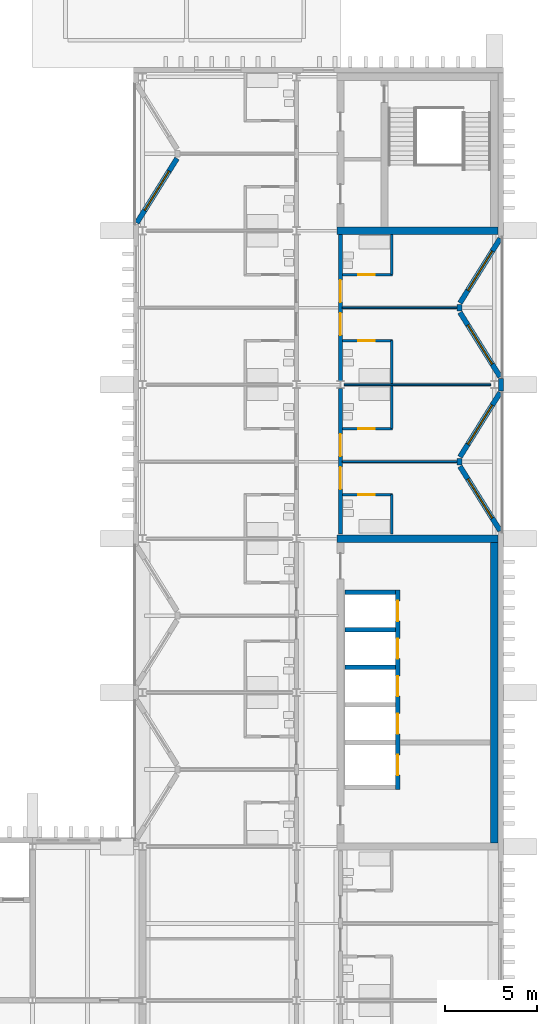
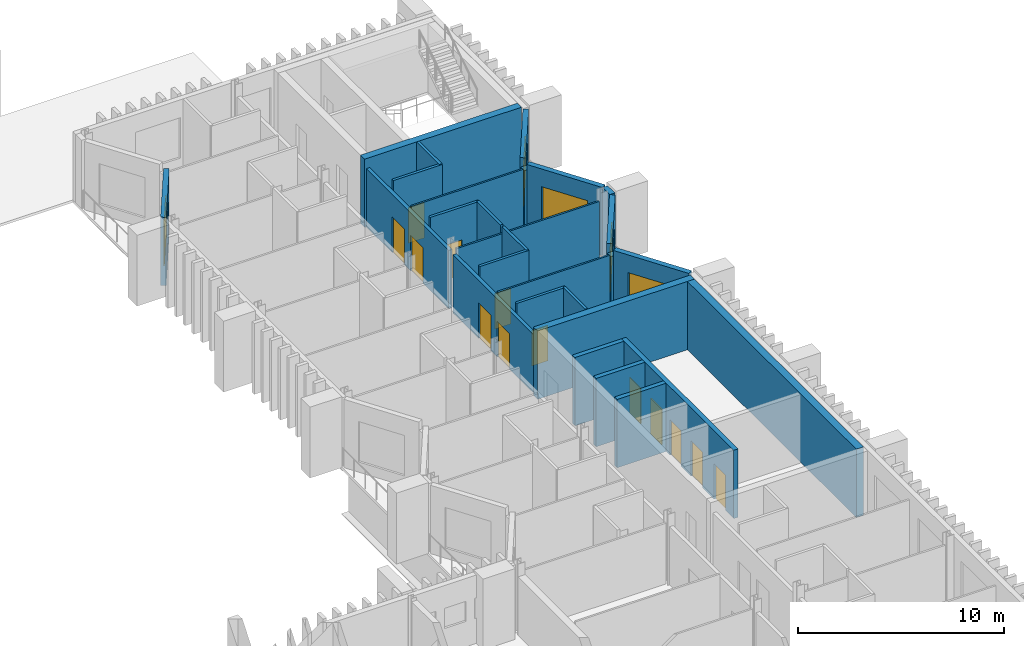
# One storey, part 77 of 100: 28 walls, 13 doors, 5 windows, 18 openings.
"""IFC4 building model written with IfcOpenShell, lengths in metres."""

from ifc_helpers import new_model, si_unit, direction, frame, frame_2d, origin, place, context, subcontext, project, spatial, rectangle, extrude, material, layer, layer_set, type_object, element, fill, save


model = new_model("IFC4")

# Units and contexts
model_context = context("Model", 3, precision=1e-05, world=origin(), true_north=direction((0.0, 1.0)))
body_context = subcontext(model_context, "Body", "Model", "MODEL_VIEW")
ifc_project = project(units=[si_unit("LENGTHUNIT", "METRE"), si_unit("AREAUNIT", "SQUARE_METRE"), si_unit("VOLUMEUNIT", "CUBIC_METRE"), si_unit("PLANEANGLEUNIT", "RADIAN"), si_unit("MASSUNIT", "GRAM", prefix="KILO")], contexts=[model_context])

# Site, building, storey
site_placement = place(None, origin())
site = spatial("IfcSite", under=ifc_project, at=site_placement, CompositionType="ELEMENT")
building_placement = place(site_placement, origin())
building = spatial("IfcBuilding", under=site, at=building_placement, Name="Cresset Court Congress Hotel", CompositionType="ELEMENT")
storey_placement = place(building_placement, frame((0.0, 0.0, 10.199951171875)))
storey = spatial("IfcBuildingStorey", under=building, at=storey_placement, Name="L02", CompositionType="ELEMENT", Elevation=10.199951171875)

# Wall, openings, doors
ifc_material_1 = material(Name="Gypsum board partition")
ifc_layer_1 = layer(ifc_material_1, 0.199951171875)
ifc_layer_set_1 = layer_set([ifc_layer_1], Name="Corridor wall 200")
wall_type_1 = type_object("IfcWallType", Name="Corridor wall 200", PredefinedType="PARTITIONING", material=ifc_layer_set_1)
wall_1_placement = place(storey_placement, frame((168.0, 42.25, 0.0), z_axis=(0.0, 0.0, 1.0), x_axis=(0.0, 1.0, 0.0)))
wall_1 = element("IfcWall", 1, at=wall_1_placement, inside=storey, type_object=wall_type_1, Name="A.wl.L02.071", PredefinedType="PARTITIONING", context=body_context, shape_type="SweptSolid", body=[
    extrude(rectangle(XDim=7.943115234375, YDim=0.199951171875, at=frame_2d((3.9716796875, 0.0))), origin(), (0.0, 0.0, 1.0), 3.449951171875),
])
opening_1_placement = place(wall_1_placement, frame((2.449951171875, 0.0, 0.0)))
opening_1 = element("IfcOpeningElement", 2, at=opening_1_placement, cuts=wall_1, Name="Opening DA-02-36", PredefinedType="OPENING", context=body_context, shape_type="SweptSolid", body=[
    extrude(rectangle(XDim=1.199951171875, YDim=2.10009765625, at=frame_2d((0.60009765625, 1.050048828125))), frame((0.0, 0.10986328125, 0.0), z_axis=(0.0, -1.0, 0.0), x_axis=(1.0, 0.0, 0.0)), (0.0, 0.0, 1.0), 0.219970703125),
])
opening_2_placement = place(wall_1_placement, frame((4.25, 0.0, 0.0)))
opening_2 = element("IfcOpeningElement", 3, at=opening_2_placement, cuts=wall_1, Name="Opening DA-02-38", PredefinedType="OPENING", context=body_context, shape_type="SweptSolid", body=[
    extrude(rectangle(XDim=1.199951171875, YDim=2.10009765625, at=frame_2d((0.60009765625, 1.050048828125))), frame((0.0, 0.10986328125, 0.0), z_axis=(0.0, -1.0, 0.0), x_axis=(1.0, 0.0, 0.0)), (0.0, 0.0, 1.0), 0.219970703125),
])
ifc_material_2 = material(Name="timber", Category="wood")
door_type_1 = type_object("IfcDoorType", Name="Guest-room entry door 1200x2100 FD30S", OperationType="SINGLE_SWING_LEFT", PredefinedType="DOOR", material=ifc_material_2)
door_1_placement = place(opening_1_placement, origin())
door_1 = element("IfcDoor", 4, at=door_1_placement, inside=storey, type_object=door_type_1, Name="Door DA-02-36", OperationType="SINGLE_SWING_RIGHT", OverallHeight=2.10009765625, OverallWidth=1.199951171875, PredefinedType="DOOR", context=body_context, shape_type="SweptSolid", body=[
    extrude(rectangle(XDim=1.199951171875, YDim=2.10009765625, at=frame_2d((0.60009765625, 1.050048828125))), frame((0.0, 0.02490234375, 0.0), z_axis=(0.0, -1.0, 0.0), x_axis=(1.0, 0.0, 0.0)), (0.0, 0.0, 1.0), 0.050048828125),
])
fill(opening_1, door_1)
door_2_placement = place(opening_2_placement, origin())
door_2 = element("IfcDoor", 5, at=door_2_placement, inside=storey, type_object=door_type_1, Name="Door DA-02-38", OperationType="SINGLE_SWING_LEFT", OverallHeight=2.10009765625, OverallWidth=1.199951171875, PredefinedType="DOOR", context=body_context, shape_type="SweptSolid", body=[
    extrude(rectangle(XDim=1.199951171875, YDim=2.10009765625, at=frame_2d((0.60009765625, 1.050048828125))), frame((0.0, 0.02490234375, 0.0), z_axis=(0.0, -1.0, 0.0), x_axis=(1.0, 0.0, 0.0)), (0.0, 0.0, 1.0), 0.050048828125),
])
fill(opening_2, door_2)

wall_2_placement = place(storey_placement, frame((168.0, 50.60693359375, 0.0), z_axis=(0.0, 0.0, 1.0), x_axis=(0.0, 1.0, 0.0)))
wall_2 = element("IfcWall", 6, at=wall_2_placement, inside=storey, type_object=wall_type_1, Name="A.wl.L02.072", PredefinedType="PARTITIONING", context=body_context, shape_type="SweptSolid", body=[
    extrude(rectangle(XDim=7.9931640625, YDim=0.199951171875, at=frame_2d((3.99658203125, 0.0))), origin(), (0.0, 0.0, 1.0), 3.449951171875),
])
opening_3_placement = place(wall_2_placement, frame((2.492919921875, 0.0, 0.0)))
opening_3 = element("IfcOpeningElement", 7, at=opening_3_placement, cuts=wall_2, Name="Opening DA-02-40", PredefinedType="OPENING", context=body_context, shape_type="SweptSolid", body=[
    extrude(rectangle(XDim=1.199951171875, YDim=2.10009765625, at=frame_2d((0.60009765625, 1.050048828125))), frame((0.0, 0.10986328125, 0.0), z_axis=(0.0, -1.0, 0.0), x_axis=(1.0, 0.0, 0.0)), (0.0, 0.0, 1.0), 0.219970703125),
])
opening_4_placement = place(wall_2_placement, frame((4.29296875, 0.0, 0.0)))
opening_4 = element("IfcOpeningElement", 8, at=opening_4_placement, cuts=wall_2, Name="Opening DA-02-42", PredefinedType="OPENING", context=body_context, shape_type="SweptSolid", body=[
    extrude(rectangle(XDim=1.199951171875, YDim=2.10009765625, at=frame_2d((0.60009765625, 1.050048828125))), frame((0.0, 0.10986328125, 0.0), z_axis=(0.0, -1.0, 0.0), x_axis=(1.0, 0.0, 0.0)), (0.0, 0.0, 1.0), 0.219970703125),
])
door_3_placement = place(opening_3_placement, origin())
door_3 = element("IfcDoor", 9, at=door_3_placement, inside=storey, type_object=door_type_1, Name="Door DA-02-40", OperationType="SINGLE_SWING_RIGHT", OverallHeight=2.10009765625, OverallWidth=1.199951171875, PredefinedType="DOOR", context=body_context, shape_type="SweptSolid", body=[
    extrude(rectangle(XDim=1.199951171875, YDim=2.10009765625, at=frame_2d((0.60009765625, 1.050048828125))), frame((0.0, 0.02490234375, 0.0), z_axis=(0.0, -1.0, 0.0), x_axis=(1.0, 0.0, 0.0)), (0.0, 0.0, 1.0), 0.050048828125),
])
fill(opening_3, door_3)
door_4_placement = place(opening_4_placement, origin())
door_4 = element("IfcDoor", 10, at=door_4_placement, inside=storey, type_object=door_type_1, Name="Door DA-02-42", OperationType="SINGLE_SWING_LEFT", OverallHeight=2.10009765625, OverallWidth=1.199951171875, PredefinedType="DOOR", context=body_context, shape_type="SweptSolid", body=[
    extrude(rectangle(XDim=1.199951171875, YDim=2.10009765625, at=frame_2d((0.60009765625, 1.050048828125))), frame((0.0, 0.02490234375, 0.0), z_axis=(0.0, -1.0, 0.0), x_axis=(1.0, 0.0, 0.0)), (0.0, 0.0, 1.0), 0.050048828125),
])
fill(opening_4, door_4)

# Wall
ifc_material_3 = material(Name="Gypsum board partition")
ifc_layer_2 = layer(ifc_material_3, 0.14990234375)
ifc_layer_set_2 = layer_set([ifc_layer_2], Name="En-suite wall 150")
wall_type_2 = type_object("IfcWallType", Name="En-suite wall 150", PredefinedType="PARTITIONING", material=ifc_layer_set_2)
wall_3_placement = place(storey_placement, frame((170.800048828125, 42.25, 0.0), z_axis=(0.0, 0.0, 1.0), x_axis=(0.0, 1.0, 0.0)))
element("IfcWall", 11, at=wall_3_placement, inside=storey, type_object=wall_type_2, Name="A.wl.L02.029", PredefinedType="PARTITIONING", context=body_context, shape_type="SweptSolid", body=[
    extrude(rectangle(XDim=2.14990234375, YDim=0.14990234375, at=frame_2d((1.074951171875, 0.0))), origin(), (0.0, 0.0, 1.0), 4.050048828125),
])

# Wall, opening, door
wall_4_placement = place(storey_placement, frame((170.85009765625, 44.39990234375, 0.0), z_axis=(0.0, 0.0, 1.0), x_axis=(-1.0, 0.0, 0.0)))
wall_4 = element("IfcWall", 12, at=wall_4_placement, inside=storey, type_object=wall_type_2, Name="A.wl.L02.030", PredefinedType="PARTITIONING", context=body_context, shape_type="SweptSolid", body=[
    extrude(rectangle(XDim=2.75, YDim=0.14990234375, at=frame_2d((1.375, 0.0))), origin(), (0.0, 0.0, 1.0), 4.050048828125),
])
opening_5_placement = place(wall_4_placement, frame((0.97998046875, 0.0, 0.0)))
opening_5 = element("IfcOpeningElement", 13, at=opening_5_placement, cuts=wall_4, Name="Opening DA-02-35", PredefinedType="OPENING", context=body_context, shape_type="SweptSolid", body=[
    extrude(rectangle(XDim=0.89990234375, YDim=2.10009765625, at=frame_2d((0.449951171875, 1.050048828125))), frame((0.0, 0.0849609375, 0.0), z_axis=(0.0, -1.0, 0.0), x_axis=(1.0, 0.0, 0.0)), (0.0, 0.0, 1.0), 0.169921875),
])
ifc_material_4 = material(Name="timber", Category="wood")
door_type_2 = type_object("IfcDoorType", Name="En-suite door 900x2100", OperationType="SINGLE_SWING_LEFT", PredefinedType="DOOR", material=ifc_material_4)
door_5_placement = place(opening_5_placement, origin())
door_5 = element("IfcDoor", 14, at=door_5_placement, inside=storey, type_object=door_type_2, Name="Door DA-02-35", OperationType="SINGLE_SWING_RIGHT", OverallHeight=2.10009765625, OverallWidth=0.89990234375, PredefinedType="DOOR", context=body_context, shape_type="SweptSolid", body=[
    extrude(rectangle(XDim=0.89990234375, YDim=2.10009765625, at=frame_2d((0.449951171875, 1.050048828125))), frame((0.0, 0.02490234375, 0.0), z_axis=(0.0, -1.0, 0.0), x_axis=(1.0, 0.0, 0.0)), (0.0, 0.0, 1.0), 0.050048828125),
])
fill(opening_5, door_5)

# Wall
wall_5_placement = place(storey_placement, frame((170.800048828125, 48.0, 0.0), z_axis=(0.0, 0.0, 1.0), x_axis=(0.0, 1.0, 0.0)))
element("IfcWall", 15, at=wall_5_placement, inside=storey, type_object=wall_type_2, Name="A.wl.L02.031", PredefinedType="PARTITIONING", context=body_context, shape_type="SweptSolid", body=[
    extrude(rectangle(XDim=2.324951171875, YDim=0.14990234375, at=frame_2d((1.16259765625, 0.0))), origin(), (0.0, 0.0, 1.0), 4.050048828125),
])

# Wall, opening, door
wall_6_placement = place(storey_placement, frame((170.85009765625, 48.0, 0.0), z_axis=(0.0, 0.0, 1.0), x_axis=(-1.0, 0.0, 0.0)))
wall_6 = element("IfcWall", 16, at=wall_6_placement, inside=storey, type_object=wall_type_2, Name="A.wl.L02.032", PredefinedType="PARTITIONING", context=body_context, shape_type="SweptSolid", body=[
    extrude(rectangle(XDim=2.75, YDim=0.14990234375, at=frame_2d((1.375, 0.0))), origin(), (0.0, 0.0, 1.0), 4.050048828125),
])
opening_6_placement = place(wall_6_placement, frame((0.97998046875, 0.0, 0.0)))
opening_6 = element("IfcOpeningElement", 17, at=opening_6_placement, cuts=wall_6, Name="Opening DA-02-37", PredefinedType="OPENING", context=body_context, shape_type="SweptSolid", body=[
    extrude(rectangle(XDim=0.89990234375, YDim=2.10009765625, at=frame_2d((0.449951171875, 1.050048828125))), frame((0.0, 0.0849609375, 0.0), z_axis=(0.0, -1.0, 0.0), x_axis=(1.0, 0.0, 0.0)), (0.0, 0.0, 1.0), 0.169921875),
])
door_6_placement = place(opening_6_placement, origin())
door_6 = element("IfcDoor", 18, at=door_6_placement, inside=storey, type_object=door_type_2, Name="Door DA-02-37", OperationType="SINGLE_SWING_LEFT", OverallHeight=2.10009765625, OverallWidth=0.89990234375, PredefinedType="DOOR", context=body_context, shape_type="SweptSolid", body=[
    extrude(rectangle(XDim=0.89990234375, YDim=2.10009765625, at=frame_2d((0.449951171875, 1.050048828125))), frame((0.0, 0.02490234375, 0.0), z_axis=(0.0, -1.0, 0.0), x_axis=(1.0, 0.0, 0.0)), (0.0, 0.0, 1.0), 0.050048828125),
])
fill(opening_6, door_6)

# Wall
wall_7_placement = place(storey_placement, frame((170.800048828125, 50.47509765625, 0.0), z_axis=(0.0, 0.0, 1.0), x_axis=(0.0, 1.0, 0.0)))
element("IfcWall", 19, at=wall_7_placement, inside=storey, type_object=wall_type_2, Name="A.wl.L02.033", PredefinedType="PARTITIONING", context=body_context, shape_type="SweptSolid", body=[
    extrude(rectangle(XDim=2.324951171875, YDim=0.14990234375, at=frame_2d((1.16259765625, 0.0))), origin(), (0.0, 0.0, 1.0), 4.050048828125),
])

# Wall, opening, door
wall_8_placement = place(storey_placement, frame((170.85009765625, 52.800048828125, 0.0), z_axis=(0.0, 0.0, 1.0), x_axis=(-1.0, 0.0, 0.0)))
wall_8 = element("IfcWall", 20, at=wall_8_placement, inside=storey, type_object=wall_type_2, Name="A.wl.L02.034", PredefinedType="PARTITIONING", context=body_context, shape_type="SweptSolid", body=[
    extrude(rectangle(XDim=2.75, YDim=0.14990234375, at=frame_2d((1.375, 0.0))), origin(), (0.0, 0.0, 1.0), 4.050048828125),
])
opening_7_placement = place(wall_8_placement, frame((0.97998046875, 0.0, 0.0)))
opening_7 = element("IfcOpeningElement", 21, at=opening_7_placement, cuts=wall_8, Name="Opening DA-02-39", PredefinedType="OPENING", context=body_context, shape_type="SweptSolid", body=[
    extrude(rectangle(XDim=0.89990234375, YDim=2.10009765625, at=frame_2d((0.449951171875, 1.050048828125))), frame((0.0, 0.0849609375, 0.0), z_axis=(0.0, -1.0, 0.0), x_axis=(1.0, 0.0, 0.0)), (0.0, 0.0, 1.0), 0.169921875),
])
door_7_placement = place(opening_7_placement, origin())
door_7 = element("IfcDoor", 22, at=door_7_placement, inside=storey, type_object=door_type_2, Name="Door DA-02-39", OperationType="SINGLE_SWING_RIGHT", OverallHeight=2.10009765625, OverallWidth=0.89990234375, PredefinedType="DOOR", context=body_context, shape_type="SweptSolid", body=[
    extrude(rectangle(XDim=0.89990234375, YDim=2.10009765625, at=frame_2d((0.449951171875, 1.050048828125))), frame((0.0, 0.02490234375, 0.0), z_axis=(0.0, -1.0, 0.0), x_axis=(1.0, 0.0, 0.0)), (0.0, 0.0, 1.0), 0.050048828125),
])
fill(opening_7, door_7)

# Wall
wall_9_placement = place(storey_placement, frame((170.800048828125, 56.39990234375, 0.0), z_axis=(0.0, 0.0, 1.0), x_axis=(0.0, 1.0, 0.0)))
element("IfcWall", 23, at=wall_9_placement, inside=storey, type_object=wall_type_2, Name="A.wl.L02.035", PredefinedType="PARTITIONING", context=body_context, shape_type="SweptSolid", body=[
    extrude(rectangle(XDim=2.2001953125, YDim=0.14990234375, at=frame_2d((1.10009765625, 0.0))), origin(), (0.0, 0.0, 1.0), 4.050048828125),
])

# Wall, opening, door
wall_10_placement = place(storey_placement, frame((170.85009765625, 56.39990234375, 0.0), z_axis=(0.0, 0.0, 1.0), x_axis=(-1.0, 0.0, 0.0)))
wall_10 = element("IfcWall", 24, at=wall_10_placement, inside=storey, type_object=wall_type_2, Name="A.wl.L02.036", PredefinedType="PARTITIONING", context=body_context, shape_type="SweptSolid", body=[
    extrude(rectangle(XDim=2.75, YDim=0.14990234375, at=frame_2d((1.375, 0.0))), origin(), (0.0, 0.0, 1.0), 4.050048828125),
])
opening_8_placement = place(wall_10_placement, frame((0.97998046875, 0.0, 0.0)))
opening_8 = element("IfcOpeningElement", 25, at=opening_8_placement, cuts=wall_10, Name="Opening DA-02-41", PredefinedType="OPENING", context=body_context, shape_type="SweptSolid", body=[
    extrude(rectangle(XDim=0.89990234375, YDim=2.10009765625, at=frame_2d((0.449951171875, 1.050048828125))), frame((0.0, 0.0849609375, 0.0), z_axis=(0.0, -1.0, 0.0), x_axis=(1.0, 0.0, 0.0)), (0.0, 0.0, 1.0), 0.169921875),
])
door_8_placement = place(opening_8_placement, origin())
door_8 = element("IfcDoor", 26, at=door_8_placement, inside=storey, type_object=door_type_2, Name="Door DA-02-41", OperationType="SINGLE_SWING_LEFT", OverallHeight=2.10009765625, OverallWidth=0.89990234375, PredefinedType="DOOR", context=body_context, shape_type="SweptSolid", body=[
    extrude(rectangle(XDim=0.89990234375, YDim=2.10009765625, at=frame_2d((0.449951171875, 1.050048828125))), frame((0.0, 0.02490234375, 0.0), z_axis=(0.0, -1.0, 0.0), x_axis=(1.0, 0.0, 0.0)), (0.0, 0.0, 1.0), 0.050048828125),
])
fill(opening_8, door_8)

# Wall, opening, window
ifc_material_5 = material(Name="Precast concrete C50", Category="concrete")
ifc_layer_3 = layer(ifc_material_5, 0.280029296875)
ifc_layer_set_3 = layer_set([ifc_layer_3], Name="External wall 280")
wall_type_3 = type_object("IfcWallType", Name="External wall 280", PredefinedType="SOLIDWALL", material=ifc_layer_set_3)
wall_11_placement = place(storey_placement, frame((156.88623046875, 59.22412109375, 0.0), z_axis=(0.0, 0.0, 1.0), x_axis=(0.529018946142, 0.848610013271, 0.0)))
wall_11 = element("IfcWall", 27, at=wall_11_placement, inside=storey, type_object=wall_type_3, Name="A.ew.L02.Wn.7.0", PredefinedType="SOLIDWALL", context=body_context, shape_type="SweptSolid", body=[
    extrude(rectangle(XDim=4.144287109375, YDim=0.280029296875, at=frame_2d((2.072265625, 0.0))), origin(), (0.0, 0.0, 1.0), 4.050048828125),
])
opening_9_placement = place(wall_11_placement, frame((0.812255859375, 0.0, 0.60009765625)))
opening_9 = element("IfcOpeningElement", 28, at=opening_9_placement, cuts=wall_11, Name="Opening NA-02-09", PredefinedType="OPENING", context=body_context, shape_type="SweptSolid", body=[
    extrude(rectangle(XDim=2.52001953125, YDim=2.39990234375, at=frame_2d((1.260009765625, 1.199951171875))), frame((0.0, 0.14990234375, 0.0), z_axis=(0.0, -1.0, 0.0), x_axis=(1.0, 0.0, 0.0)), (0.0, 0.0, 1.0), 0.300048828125),
])
ifc_material_6 = material(Name="Aluminium and glass", Category="aluminium")
window_type = type_object("IfcWindowType", Name="Window 2520x2400", PartitioningType="SINGLE_PANEL", PredefinedType="WINDOW", material=ifc_material_6)
window_1_placement = place(opening_9_placement, origin())
window_1 = element("IfcWindow", 29, at=window_1_placement, inside=storey, type_object=window_type, Name="Window NA-02-09", OverallHeight=2.39990234375, OverallWidth=2.52001953125, PartitioningType="SINGLE_PANEL", PredefinedType="WINDOW", context=body_context, shape_type="SweptSolid", body=[
    extrude(rectangle(XDim=2.52001953125, YDim=2.39990234375, at=frame_2d((1.260009765625, 1.199951171875))), frame((0.0, 0.030029296875, 0.0), z_axis=(0.0, -1.0, 0.0), x_axis=(1.0, 0.0, 0.0)), (0.0, 0.0, 1.0), 0.06005859375),
])
fill(opening_9, window_1)

wall_12_placement = place(storey_placement, frame((176.7138671875, 42.424072265625, 0.0), z_axis=(0.0, 0.0, 1.0), x_axis=(-0.529018946142, 0.848610013271, 0.0)))
wall_12 = element("IfcWall", 30, at=wall_12_placement, inside=storey, type_object=wall_type_3, Name="A.ew.L02.En.5.0", PredefinedType="SOLIDWALL", context=body_context, shape_type="SweptSolid", body=[
    extrude(rectangle(XDim=4.144287109375, YDim=0.280029296875, at=frame_2d((2.072265625, 0.0))), origin(), (0.0, 0.0, 1.0), 4.050048828125),
])
opening_10_placement = place(wall_12_placement, frame((0.81201171875, 0.0, 0.60009765625)))
opening_10 = element("IfcOpeningElement", 31, at=opening_10_placement, cuts=wall_12, Name="Opening NA-02-15", PredefinedType="OPENING", context=body_context, shape_type="SweptSolid", body=[
    extrude(rectangle(XDim=2.52001953125, YDim=2.39990234375, at=frame_2d((1.260009765625, 1.199951171875))), frame((0.0, 0.14990234375, 0.0), z_axis=(0.0, -1.0, 0.0), x_axis=(1.0, 0.0, 0.0)), (0.0, 0.0, 1.0), 0.300048828125),
])
window_2_placement = place(opening_10_placement, origin())
window_2 = element("IfcWindow", 32, at=window_2_placement, inside=storey, type_object=window_type, Name="Window NA-02-15", OverallHeight=2.39990234375, OverallWidth=2.52001953125, PartitioningType="SINGLE_PANEL", PredefinedType="WINDOW", context=body_context, shape_type="SweptSolid", body=[
    extrude(rectangle(XDim=2.52001953125, YDim=2.39990234375, at=frame_2d((1.260009765625, 1.199951171875))), frame((0.0, 0.030029296875, 0.0), z_axis=(0.0, -1.0, 0.0), x_axis=(1.0, 0.0, 0.0)), (0.0, 0.0, 1.0), 0.06005859375),
])
fill(opening_10, window_2)

wall_13_placement = place(storey_placement, frame((174.521484375, 46.458984375, 0.0), z_axis=(0.0, 0.0, 1.0), x_axis=(0.529018946142, 0.848610013271, 0.0)))
wall_13 = element("IfcWall", 33, at=wall_13_placement, inside=storey, type_object=wall_type_3, Name="A.ew.L02.En.5.1", PredefinedType="SOLIDWALL", context=body_context, shape_type="SweptSolid", body=[
    extrude(rectangle(XDim=4.144287109375, YDim=0.280029296875, at=frame_2d((2.072265625, 0.0))), origin(), (0.0, 0.0, 1.0), 4.050048828125),
])
opening_11_placement = place(wall_13_placement, frame((0.81201171875, 0.0, 0.60009765625)))
opening_11 = element("IfcOpeningElement", 34, at=opening_11_placement, cuts=wall_13, Name="Opening NA-02-16", PredefinedType="OPENING", context=body_context, shape_type="SweptSolid", body=[
    extrude(rectangle(XDim=2.52001953125, YDim=2.39990234375, at=frame_2d((1.260009765625, 1.199951171875))), frame((0.0, 0.14990234375, 0.0), z_axis=(0.0, -1.0, 0.0), x_axis=(1.0, 0.0, 0.0)), (0.0, 0.0, 1.0), 0.300048828125),
])
window_3_placement = place(opening_11_placement, origin())
window_3 = element("IfcWindow", 35, at=window_3_placement, inside=storey, type_object=window_type, Name="Window NA-02-16", OverallHeight=2.39990234375, OverallWidth=2.52001953125, PartitioningType="SINGLE_PANEL", PredefinedType="WINDOW", context=body_context, shape_type="SweptSolid", body=[
    extrude(rectangle(XDim=2.52001953125, YDim=2.39990234375, at=frame_2d((1.260009765625, 1.199951171875))), frame((0.0, 0.030029296875, 0.0), z_axis=(0.0, -1.0, 0.0), x_axis=(1.0, 0.0, 0.0)), (0.0, 0.0, 1.0), 0.06005859375),
])
fill(opening_11, window_3)

# Walls
wall_14_placement = place(storey_placement, frame((174.500244140625, 46.01513671875, 0.0), z_axis=(0.0, 0.0, 1.0), x_axis=(0.0, 1.0, 0.0)))
element("IfcWall", 36, at=wall_14_placement, inside=storey, type_object=wall_type_3, Name="A.ew.L02.En.5.2", PredefinedType="SOLIDWALL", context=body_context, shape_type="SweptSolid", body=[
    extrude(rectangle(XDim=0.369873046875, YDim=0.280029296875, at=frame_2d((0.18505859375, 0.0))), origin(), (0.0, 0.0, 1.0), 3.60400390625),
])
wall_15_placement = place(storey_placement, frame((176.760009765625, 50.050048828125, 0.0), z_axis=(0.0, 0.0, 1.0), x_axis=(0.0, 1.0, 0.0)))
element("IfcWall", 37, at=wall_15_placement, inside=storey, type_object=wall_type_3, Name="A.ew.L02.E.2", PredefinedType="SOLIDWALL", context=body_context, shape_type="SweptSolid", body=[
    extrude(rectangle(XDim=0.699951171875, YDim=0.280029296875, at=frame_2d((0.35009765625, 0.0))), origin(), (0.0, 0.0, 1.0), 4.050048828125),
])

# Wall, opening, window
wall_16_placement = place(storey_placement, frame((176.7138671875, 50.82421875, 0.0), z_axis=(0.0, 0.0, 1.0), x_axis=(-0.529018946142, 0.848610013271, 0.0)))
wall_16 = element("IfcWall", 38, at=wall_16_placement, inside=storey, type_object=wall_type_3, Name="A.ew.L02.En.6.0", PredefinedType="SOLIDWALL", context=body_context, shape_type="SweptSolid", body=[
    extrude(rectangle(XDim=4.144287109375, YDim=0.280029296875, at=frame_2d((2.072265625, 0.0))), origin(), (0.0, 0.0, 1.0), 4.050048828125),
])
opening_12_placement = place(wall_16_placement, frame((0.81201171875, 0.0, 0.60009765625)))
opening_12 = element("IfcOpeningElement", 39, at=opening_12_placement, cuts=wall_16, Name="Opening NA-02-17", PredefinedType="OPENING", context=body_context, shape_type="SweptSolid", body=[
    extrude(rectangle(XDim=2.52001953125, YDim=2.39990234375, at=frame_2d((1.260009765625, 1.199951171875))), frame((0.0, 0.14990234375, 0.0), z_axis=(0.0, -1.0, 0.0), x_axis=(1.0, 0.0, 0.0)), (0.0, 0.0, 1.0), 0.300048828125),
])
window_4_placement = place(opening_12_placement, origin())
window_4 = element("IfcWindow", 40, at=window_4_placement, inside=storey, type_object=window_type, Name="Window NA-02-17", OverallHeight=2.39990234375, OverallWidth=2.52001953125, PartitioningType="SINGLE_PANEL", PredefinedType="WINDOW", context=body_context, shape_type="SweptSolid", body=[
    extrude(rectangle(XDim=2.52001953125, YDim=2.39990234375, at=frame_2d((1.260009765625, 1.199951171875))), frame((0.0, 0.030029296875, 0.0), z_axis=(0.0, -1.0, 0.0), x_axis=(1.0, 0.0, 0.0)), (0.0, 0.0, 1.0), 0.06005859375),
])
fill(opening_12, window_4)

wall_17_placement = place(storey_placement, frame((174.521484375, 54.85888671875, 0.0), z_axis=(0.0, 0.0, 1.0), x_axis=(0.528992500338, 0.848626498871, 0.0)))
wall_17 = element("IfcWall", 41, at=wall_17_placement, inside=storey, type_object=wall_type_3, Name="A.ew.L02.En.6.1", PredefinedType="SOLIDWALL", context=body_context, shape_type="SweptSolid", body=[
    extrude(rectangle(XDim=4.14453125, YDim=0.280029296875, at=frame_2d((2.072265625, 0.0))), origin(), (0.0, 0.0, 1.0), 4.050048828125),
])
opening_13_placement = place(wall_17_placement, frame((0.81201171875, 0.0, 0.60009765625)))
opening_13 = element("IfcOpeningElement", 42, at=opening_13_placement, cuts=wall_17, Name="Opening NA-02-18", PredefinedType="OPENING", context=body_context, shape_type="SweptSolid", body=[
    extrude(rectangle(XDim=2.52001953125, YDim=2.39990234375, at=frame_2d((1.260009765625, 1.199951171875))), frame((0.0, 0.14990234375, 0.0), z_axis=(0.0, -1.0, 0.0), x_axis=(1.0, 0.0, 0.0)), (0.0, 0.0, 1.0), 0.300048828125),
])
window_5_placement = place(opening_13_placement, origin())
window_5 = element("IfcWindow", 43, at=window_5_placement, inside=storey, type_object=window_type, Name="Window NA-02-18", OverallHeight=2.39990234375, OverallWidth=2.52001953125, PartitioningType="SINGLE_PANEL", PredefinedType="WINDOW", context=body_context, shape_type="SweptSolid", body=[
    extrude(rectangle(XDim=2.52001953125, YDim=2.39990234375, at=frame_2d((1.260009765625, 1.199951171875))), frame((0.0, 0.030029296875, 0.0), z_axis=(0.0, -1.0, 0.0), x_axis=(1.0, 0.0, 0.0)), (0.0, 0.0, 1.0), 0.06005859375),
])
fill(opening_13, window_5)

# Walls
wall_18_placement = place(storey_placement, frame((174.500244140625, 54.4150390625, 0.0), z_axis=(0.0, 0.0, 1.0), x_axis=(0.0, 1.0, 0.0)))
element("IfcWall", 44, at=wall_18_placement, inside=storey, type_object=wall_type_3, Name="A.ew.L02.En.6.2", PredefinedType="SOLIDWALL", context=body_context, shape_type="SweptSolid", body=[
    extrude(rectangle(XDim=0.369873046875, YDim=0.280029296875, at=frame_2d((0.18505859375, 0.0))), origin(), (0.0, 0.0, 1.0), 3.60400390625),
])
ifc_material_7 = material(Name="Gypsum board partition")
ifc_layer_4 = layer(ifc_material_7, 0.10009765625)
ifc_layer_set_4 = layer_set([ifc_layer_4], Name="Guest-room partition 100")
wall_type_4 = type_object("IfcWallType", Name="Guest-room partition 100", PredefinedType="PARTITIONING", material=ifc_layer_set_4)
wall_19_placement = place(storey_placement, frame((168.202392578125, 50.39990234375, 0.0), z_axis=(0.0, 0.0, 1.0), x_axis=(1.0, 0.0, 0.0)))
element("IfcWall", 45, at=wall_19_placement, inside=storey, type_object=wall_type_4, Name="A.wl.L02.045", PredefinedType="PARTITIONING", context=body_context, shape_type="SweptSolid", body=[
    extrude(rectangle(XDim=7.9951171875, YDim=0.10009765625, at=frame_2d((3.99755859375, 0.0))), origin(), (0.0, 0.0, 1.0), 3.60400390625),
])
for number, where, z_axis, x_axis, name in (
    (46, (168.10009765625, 46.199951171875, 0.0), (0.0, 0.0, 1.0), (1.0, 0.0, 0.0), "A.wl.L02.056"),
    (47, (168.10009765625, 54.60009765625, 0.0), (0.0, 0.0, 1.0), (1.0, 0.0, 0.0), "A.wl.L02.057"),
):
    element("IfcWall", number, at=place(storey_placement, frame(where, z_axis=z_axis, x_axis=x_axis)), inside=storey, type_object=wall_type_4, Name=name, PredefinedType="PARTITIONING", context=body_context, shape_type="SweptSolid", body=[
        extrude(rectangle(XDim=6.26025390625, YDim=0.10009765625, at=frame_2d((3.130126953125, 0.0))), origin(), (0.0, 0.0, 1.0), 3.60400390625),
    ])
ifc_material_8 = material(Name="Concrete C50", Category="concrete")
ifc_layer_5 = layer(ifc_material_8, 0.39990234375)
ifc_layer_set_5 = layer_set([ifc_layer_5], Name="Lift core wall 400")
wall_type_5 = type_object("IfcWallType", Name="Lift core wall 400", PredefinedType="SOLIDWALL", material=ifc_layer_set_5)
wall_20_placement = place(storey_placement, frame((167.800048828125, 42.0, 0.0), z_axis=(0.0, 0.0, 1.0), x_axis=(1.0, 0.0, 0.0)))
element("IfcWall", 48, at=wall_20_placement, inside=storey, type_object=wall_type_5, Name="A.cw.LC-A.L02.N", PredefinedType="SOLIDWALL", context=body_context, shape_type="SweptSolid", body=[
    extrude(rectangle(XDim=8.800048828125, YDim=0.39990234375, at=frame_2d((4.39990234375, 0.0))), origin(), (0.0, 0.0, 1.0), 4.050048828125),
])
wall_21_placement = place(storey_placement, frame((176.39990234375, 25.39990234375, 0.0), z_axis=(0.0, 0.0, 1.0), x_axis=(0.0, 1.0, 0.0)))
element("IfcWall", 49, at=wall_21_placement, inside=storey, type_object=wall_type_5, Name="A.cw.LC-A.L02.E", PredefinedType="SOLIDWALL", context=body_context, shape_type="SweptSolid", body=[
    extrude(rectangle(XDim=16.400146484375, YDim=0.39990234375, at=frame_2d((8.2001953125, 0.0))), origin(), (0.0, 0.0, 1.0), 4.050048828125),
])

# Wall, openings, doors
ifc_material_9 = material(Name="Concrete C50", Category="concrete")
ifc_layer_6 = layer(ifc_material_9, 0.25)
ifc_layer_set_6 = layer_set([ifc_layer_6], Name="Lift shaft wall 250")
wall_type_6 = type_object("IfcWallType", Name="Lift shaft wall 250", PredefinedType="SOLIDWALL", material=ifc_layer_set_6)
wall_22_placement = place(storey_placement, frame((171.125, 28.300048828125, 0.0), z_axis=(0.0, 0.0, 1.0), x_axis=(0.0, 1.0, 0.0)))
wall_22 = element("IfcWall", 50, at=wall_22_placement, inside=storey, type_object=wall_type_6, Name="A.wl.L02.077", PredefinedType="SOLIDWALL", context=body_context, shape_type="SweptSolid", body=[
    extrude(rectangle(XDim=10.89990234375, YDim=0.25, at=frame_2d((5.449951171875, 0.0))), origin(), (0.0, 0.0, 1.0), 4.050048828125),
])
opening_14_placement = place(wall_22_placement, frame((0.800048828125, 0.0, 0.0)))
opening_14 = element("IfcOpeningElement", 51, at=opening_14_placement, cuts=wall_22, Name="Opening LD-A1-02", PredefinedType="OPENING", context=body_context, shape_type="SweptSolid", body=[
    extrude(rectangle(XDim=1.10009765625, YDim=2.10009765625, at=frame_2d((0.550048828125, 1.050048828125))), frame((0.0, 0.135009765625, 0.0), z_axis=(0.0, -1.0, 0.0), x_axis=(1.0, 0.0, 0.0)), (0.0, 0.0, 1.0), 0.27001953125),
])
opening_15_placement = place(wall_22_placement, frame((3.050048828125, 0.0, 0.0)))
opening_15 = element("IfcOpeningElement", 52, at=opening_15_placement, cuts=wall_22, Name="Opening LD-A2-02", PredefinedType="OPENING", context=body_context, shape_type="SweptSolid", body=[
    extrude(rectangle(XDim=1.10009765625, YDim=2.10009765625, at=frame_2d((0.550048828125, 1.050048828125))), frame((0.0, 0.135009765625, 0.0), z_axis=(0.0, -1.0, 0.0), x_axis=(1.0, 0.0, 0.0)), (0.0, 0.0, 1.0), 0.27001953125),
])
opening_16_placement = place(wall_22_placement, frame((5.10009765625, 0.0, 0.0)))
opening_16 = element("IfcOpeningElement", 53, at=opening_16_placement, cuts=wall_22, Name="Opening LD-A3-02", PredefinedType="OPENING", context=body_context, shape_type="SweptSolid", body=[
    extrude(rectangle(XDim=1.10009765625, YDim=2.10009765625, at=frame_2d((0.550048828125, 1.050048828125))), frame((0.0, 0.135009765625, 0.0), z_axis=(0.0, -1.0, 0.0), x_axis=(1.0, 0.0, 0.0)), (0.0, 0.0, 1.0), 0.27001953125),
])
opening_17_placement = place(wall_22_placement, frame((7.14990234375, 0.0, 0.0)))
opening_17 = element("IfcOpeningElement", 54, at=opening_17_placement, cuts=wall_22, Name="Opening LD-A4-02", PredefinedType="OPENING", context=body_context, shape_type="SweptSolid", body=[
    extrude(rectangle(XDim=1.10009765625, YDim=2.10009765625, at=frame_2d((0.550048828125, 1.050048828125))), frame((0.0, 0.135009765625, 0.0), z_axis=(0.0, -1.0, 0.0), x_axis=(1.0, 0.0, 0.0)), (0.0, 0.0, 1.0), 0.27001953125),
])
opening_18_placement = place(wall_22_placement, frame((9.199951171875, 0.0, 0.0)))
opening_18 = element("IfcOpeningElement", 55, at=opening_18_placement, cuts=wall_22, Name="Opening LD-A5-02", PredefinedType="OPENING", context=body_context, shape_type="SweptSolid", body=[
    extrude(rectangle(XDim=1.10009765625, YDim=2.10009765625, at=frame_2d((0.550048828125, 1.050048828125))), frame((0.0, 0.135009765625, 0.0), z_axis=(0.0, -1.0, 0.0), x_axis=(1.0, 0.0, 0.0)), (0.0, 0.0, 1.0), 0.27001953125),
])
ifc_material_10 = material(Name="stainless steel", Category="steel")
door_type_3 = type_object("IfcDoorType", Name="Lift landing door 1100x2100 E 60", OperationType="SLIDING_TO_LEFT", PredefinedType="DOOR", material=ifc_material_10)
door_9_placement = place(opening_14_placement, origin())
door_9 = element("IfcDoor", 56, at=door_9_placement, inside=storey, type_object=door_type_3, Name="Lift landing door LD-A1-02", OperationType="SLIDING_TO_LEFT", OverallHeight=2.10009765625, OverallWidth=1.10009765625, PredefinedType="DOOR", context=body_context, shape_type="SweptSolid", body=[
    extrude(rectangle(XDim=1.10009765625, YDim=2.10009765625, at=frame_2d((0.550048828125, 1.050048828125))), frame((0.0, 0.02490234375, 0.0), z_axis=(0.0, -1.0, 0.0), x_axis=(1.0, 0.0, 0.0)), (0.0, 0.0, 1.0), 0.050048828125),
])
fill(opening_14, door_9)
door_10_placement = place(opening_15_placement, origin())
door_10 = element("IfcDoor", 57, at=door_10_placement, inside=storey, type_object=door_type_3, Name="Lift landing door LD-A2-02", OperationType="SLIDING_TO_LEFT", OverallHeight=2.10009765625, OverallWidth=1.10009765625, PredefinedType="DOOR", context=body_context, shape_type="SweptSolid", body=[
    extrude(rectangle(XDim=1.10009765625, YDim=2.10009765625, at=frame_2d((0.550048828125, 1.050048828125))), frame((0.0, 0.02490234375, 0.0), z_axis=(0.0, -1.0, 0.0), x_axis=(1.0, 0.0, 0.0)), (0.0, 0.0, 1.0), 0.050048828125),
])
fill(opening_15, door_10)
door_11_placement = place(opening_16_placement, origin())
door_11 = element("IfcDoor", 58, at=door_11_placement, inside=storey, type_object=door_type_3, Name="Lift landing door LD-A3-02", OperationType="SLIDING_TO_LEFT", OverallHeight=2.10009765625, OverallWidth=1.10009765625, PredefinedType="DOOR", context=body_context, shape_type="SweptSolid", body=[
    extrude(rectangle(XDim=1.10009765625, YDim=2.10009765625, at=frame_2d((0.550048828125, 1.050048828125))), frame((0.0, 0.02490234375, 0.0), z_axis=(0.0, -1.0, 0.0), x_axis=(1.0, 0.0, 0.0)), (0.0, 0.0, 1.0), 0.050048828125),
])
fill(opening_16, door_11)
door_12_placement = place(opening_17_placement, origin())
door_12 = element("IfcDoor", 59, at=door_12_placement, inside=storey, type_object=door_type_3, Name="Lift landing door LD-A4-02", OperationType="SLIDING_TO_LEFT", OverallHeight=2.10009765625, OverallWidth=1.10009765625, PredefinedType="DOOR", context=body_context, shape_type="SweptSolid", body=[
    extrude(rectangle(XDim=1.10009765625, YDim=2.10009765625, at=frame_2d((0.550048828125, 1.050048828125))), frame((0.0, 0.02490234375, 0.0), z_axis=(0.0, -1.0, 0.0), x_axis=(1.0, 0.0, 0.0)), (0.0, 0.0, 1.0), 0.050048828125),
])
fill(opening_17, door_12)
door_13_placement = place(opening_18_placement, origin())
door_13 = element("IfcDoor", 60, at=door_13_placement, inside=storey, type_object=door_type_3, Name="Lift landing door LD-A5-02", OperationType="SLIDING_TO_LEFT", OverallHeight=2.10009765625, OverallWidth=1.10009765625, PredefinedType="DOOR", context=body_context, shape_type="SweptSolid", body=[
    extrude(rectangle(XDim=1.10009765625, YDim=2.10009765625, at=frame_2d((0.550048828125, 1.050048828125))), frame((0.0, 0.02490234375, 0.0), z_axis=(0.0, -1.0, 0.0), x_axis=(1.0, 0.0, 0.0)), (0.0, 0.0, 1.0), 0.050048828125),
])
fill(opening_18, door_13)

# Walls
for number, where, z_axis, x_axis, name in (
    (61, (168.25, 34.97509765625, 0.0), (0.0, 0.0, 1.0), (1.0, 0.0, 0.0), "A.wl.L02.081"),
    (62, (168.25, 37.02490234375, 0.0), (0.0, 0.0, 1.0), (1.0, 0.0, 0.0), "A.wl.L02.082"),
    (63, (168.25, 39.074951171875, 0.0), (0.0, 0.0, 1.0), (1.0, 0.0, 0.0), "A.wl.L02.083"),
):
    element("IfcWall", number, at=place(storey_placement, frame(where, z_axis=z_axis, x_axis=x_axis)), inside=storey, type_object=wall_type_6, Name=name, PredefinedType="SOLIDWALL", context=body_context, shape_type="SweptSolid", body=[
        extrude(rectangle(XDim=2.75, YDim=0.25, at=frame_2d((1.375, 0.0))), origin(), (0.0, 0.0, 1.0), 4.050048828125),
    ])
ifc_material_11 = material(Name="Concrete C50", Category="concrete")
ifc_layer_7 = layer(ifc_material_11, 0.39990234375)
ifc_layer_set_7 = layer_set([ifc_layer_7], Name="Stair core wall 400")
wall_type_7 = type_object("IfcWallType", Name="Stair core wall 400", PredefinedType="SOLIDWALL", material=ifc_layer_set_7)
wall_23_placement = place(storey_placement, frame((167.800048828125, 58.800048828125, 0.0), z_axis=(0.0, 0.0, 1.0), x_axis=(1.0, 0.0, 0.0)))
element("IfcWall", 64, at=wall_23_placement, inside=storey, type_object=wall_type_7, Name="A.cw.ST-A2.L02.S", PredefinedType="SOLIDWALL", context=body_context, shape_type="SweptSolid", body=[
    extrude(rectangle(XDim=8.800048828125, YDim=0.39990234375, at=frame_2d((4.39990234375, 0.0))), origin(), (0.0, 0.0, 1.0), 4.050048828125),
])

save(model, "model.ifc")
